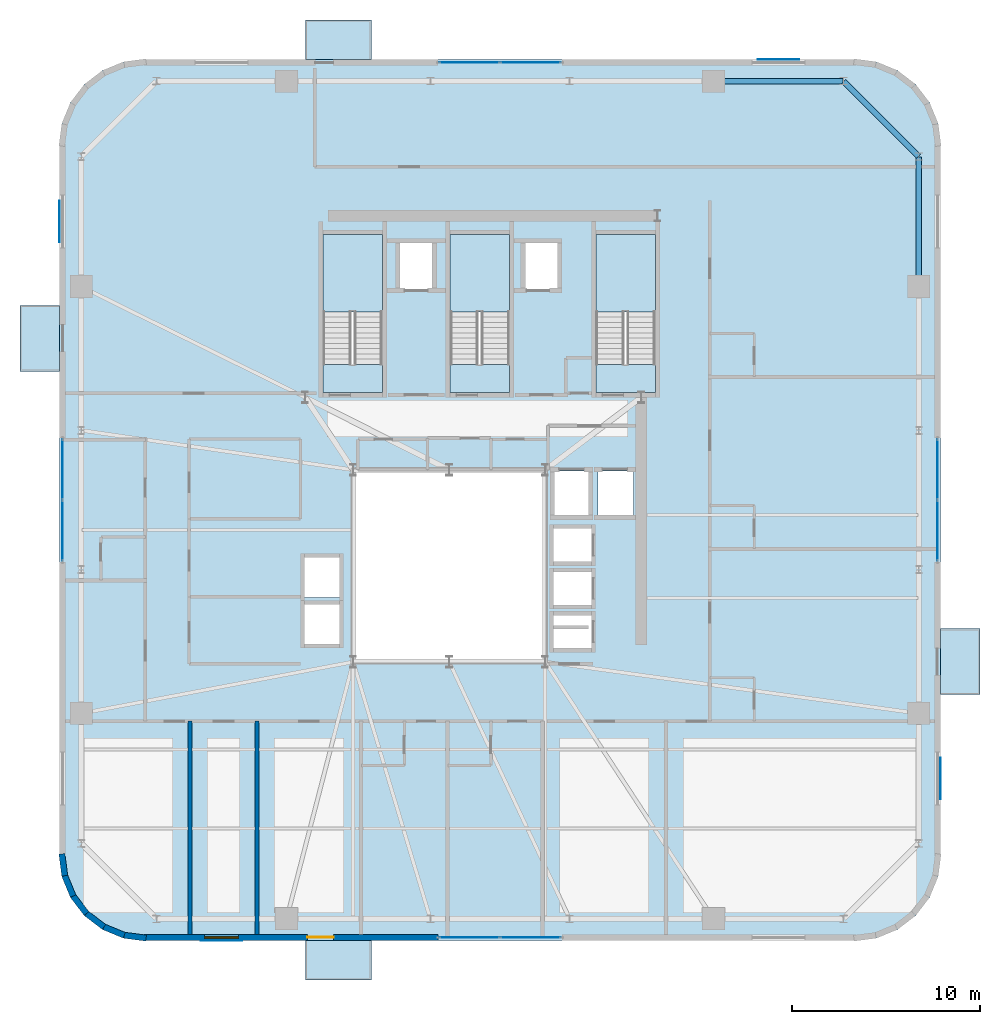
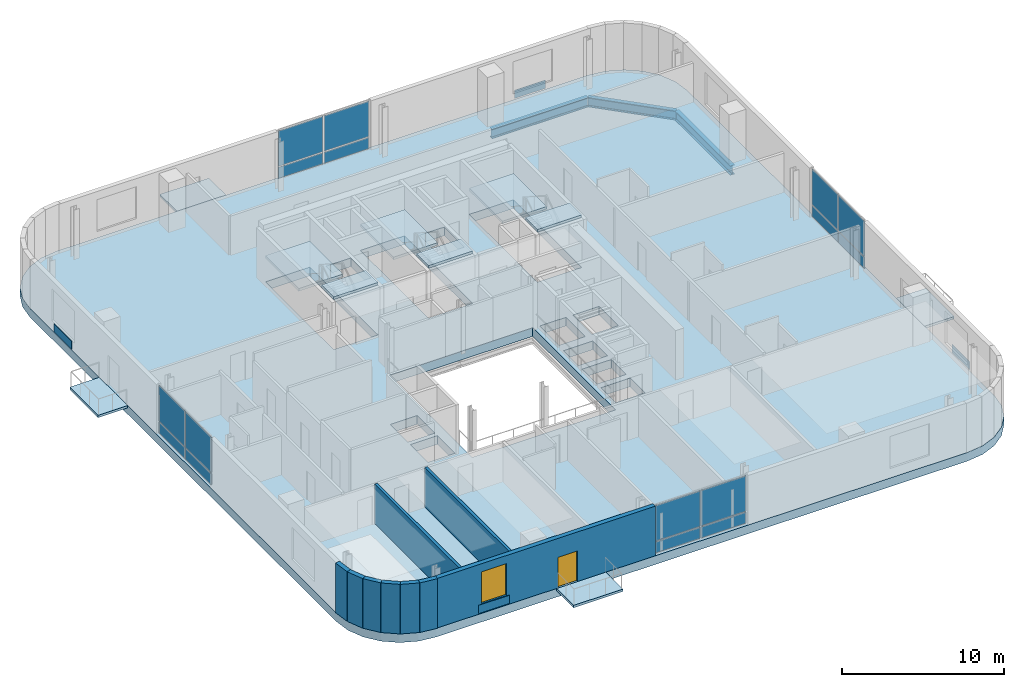
# One storey, part 7 of 15: 20 plates, 11 slabs, 9 walls, 3 beams, 1 door, 1 window, 2 openings, 7 elements without a shape of their own.
"""IFC4 building model written with IfcOpenShell, lengths in metres."""

from ifc_helpers import new_model, si_unit, direction, frame, frame_2d, origin, origin_2d, place, context, subcontext, project, spatial, polyline, rectangle, i_section, outline, extrude, source, transform, mapped, material, layer, layer_set, material_profile, profile_set, type_object, element, fill, aggregate, save


model = new_model("IFC4")

# Units and contexts
model_context = context("Model", 3, precision=1e-05, world=origin(), true_north=direction((0.0, 1.0)))
body_context = subcontext(model_context, "Body", "Model", "MODEL_VIEW")
ifc_project = project(units=[si_unit("LENGTHUNIT", "METRE"), si_unit("AREAUNIT", "SQUARE_METRE"), si_unit("VOLUMEUNIT", "CUBIC_METRE"), si_unit("PLANEANGLEUNIT", "RADIAN"), si_unit("MASSUNIT", "GRAM", prefix="KILO")], contexts=[model_context])

# Site, building, storey
site_placement = place(None, origin())
site = spatial("IfcSite", under=ifc_project, at=site_placement, CompositionType="ELEMENT")
building_placement = place(site_placement, origin())
building = spatial("IfcBuilding", under=site, at=building_placement, Name="Vardaveli Station Tower", CompositionType="ELEMENT")
storey_placement = place(building_placement, frame((0.0, 0.0, 242.699951171875)))
storey = spatial("IfcBuildingStorey", under=building, at=storey_placement, Name="L62", CompositionType="ELEMENT", Elevation=242.699951171875)

# Beams
ifc_material_1 = material(Name="Structural steel S460M", Category="steel")
ifc_material_profile = material_profile(ifc_material_1, i_section(OverallWidth=0.303955078125, OverallDepth=0.716064453125, WebThickness=0.02099609375, FlangeThickness=0.0400390625, FilletRadius=0.027099609375, at=origin_2d()), Name="HEM 700")
ifc_profile_set = profile_set([ifc_material_profile], Name="Structural steel S460M")
beam_type = type_object("IfcBeamType", Name="BM-HEM700", PredefinedType="BEAM", material=ifc_profile_set)
shared_shape_1 = source(origin(), body_context, "Body", "SweptSolid", [
    extrude(i_section(OverallWidth=0.303955078125, OverallDepth=0.716064453125, WebThickness=0.02099609375, FlangeThickness=0.0400390625, FilletRadius=0.027099609375, at=origin_2d()), origin(), (0.0, 0.0, 1.0), 6.869873046875),
])
for number, where, z_axis, x_axis, name in (
    (1, (61.25, 36.56005859375, -1.008056640625), (0.0, 1.0, 0.0), (-1.0, 0.0, 0.0), "RBM-L62-10"),
    (2, (57.22998046875, 47.449951171875, -1.008056640625), (-1.0, 0.0, 0.0), (0.0, -1.0, 0.0), "RBM-L62-12"),
):
    element("IfcBeam", number, at=place(storey_placement, frame(where, z_axis=z_axis, x_axis=x_axis)), inside=storey, type_object=beam_type, Name=name, PredefinedType="BEAM", context=body_context, shape_type="MappedRepresentation", body=[
        mapped(shared_shape_1, transform((0.0, 0.0, 0.0), scale=1.0)),
    ])
shared_shape_2 = source(origin(), body_context, "Body", "SweptSolid", [
    extrude(i_section(OverallWidth=0.303955078125, OverallDepth=0.716064453125, WebThickness=0.02099609375, FlangeThickness=0.0400390625, FilletRadius=0.027099609375, at=origin_2d()), origin(), (0.0, 0.0, 1.0), 5.61669921875),
])
beam_placement = place(storey_placement, frame((61.23583984375, 43.464111328125, -1.008056640625), z_axis=(-0.707106781187, 0.707106781187, 0.0), x_axis=(-0.707106781187, -0.707106781187, 0.0)))
element("IfcBeam", 3, at=beam_placement, inside=storey, type_object=beam_type, Name="RBM-L62-11", PredefinedType="BEAM", context=body_context, shape_type="MappedRepresentation", body=[
    mapped(shared_shape_2, transform((0.0, 0.0, 0.0), scale=1.0)),
])

# Stair, slabs
ifc_material_2 = material(Name="Concrete C40/50", Category="concrete")
stair_type = type_object("IfcStairType", Name="STR-CORE-1500", PredefinedType="HALF_TURN_STAIR", material=ifc_material_2)
stair_1_placement = place(storey_placement, origin())
stair_1 = element("IfcStair", 4, at=stair_1_placement, inside=storey, type_object=stair_type, Name="L62 ST-1", PredefinedType="HALF_TURN_STAIR")
ifc_layer_1 = layer(ifc_material_2, 0.199951171875, Name="Concrete C40/50")
ifc_layer_set_1 = layer_set([ifc_layer_1], Name="Concrete C40/50")
slab_type_1 = type_object("IfcSlabType", Name="SLB-LAND-200", PredefinedType="LANDING", material=ifc_layer_set_1)
slab_1_placement = place(storey_placement, frame((0.0, 0.0, 1.775146484375)))
slab_1 = element("IfcSlab", 5, at=slab_1_placement, type_object=slab_type_1, Name="ST-1 landing 1", PredefinedType="LANDING", context=body_context, shape_type="SweptSolid", body=[
    extrude(outline(polyline([(32.75, 35.199951171875), (32.75, 39.300048828125), (29.60009765625, 39.300048828125), (29.60009765625, 35.199951171875), (32.75, 35.199951171875)])), origin(), (0.0, 0.0, 1.0), 0.199951171875),
])
slab_2_placement = place(storey_placement, frame((0.0, 0.0, 3.75)))
slab_2 = element("IfcSlab", 6, at=slab_2_placement, type_object=slab_type_1, Name="ST-1 landing 2", PredefinedType="LANDING", context=body_context, shape_type="SweptSolid", body=[
    extrude(outline(polyline([(32.75, 30.89990234375), (32.75, 32.39990234375), (29.60009765625, 32.39990234375), (29.60009765625, 30.89990234375), (32.75, 30.89990234375)])), origin(), (0.0, 0.0, 1.0), 0.199951171875),
])
aggregate(stair_1, [slab_1, slab_2])

stair_2_placement = place(storey_placement, origin())
stair_2 = element("IfcStair", 7, at=stair_2_placement, inside=storey, type_object=stair_type, Name="L62 ST-2", PredefinedType="HALF_TURN_STAIR")
slab_3_placement = place(storey_placement, frame((0.0, 0.0, 1.775146484375)))
slab_3 = element("IfcSlab", 8, at=slab_3_placement, type_object=slab_type_1, Name="ST-2 landing 1", PredefinedType="LANDING", context=body_context, shape_type="SweptSolid", body=[
    extrude(outline(polyline([(39.5, 35.199951171875), (39.5, 39.300048828125), (36.35009765625, 39.300048828125), (36.35009765625, 35.199951171875), (39.5, 35.199951171875)])), origin(), (0.0, 0.0, 1.0), 0.199951171875),
])
slab_4_placement = place(storey_placement, frame((0.0, 0.0, 3.75)))
slab_4 = element("IfcSlab", 9, at=slab_4_placement, type_object=slab_type_1, Name="ST-2 landing 2", PredefinedType="LANDING", context=body_context, shape_type="SweptSolid", body=[
    extrude(outline(polyline([(39.5, 30.89990234375), (39.5, 32.39990234375), (36.35009765625, 32.39990234375), (36.35009765625, 30.89990234375), (39.5, 30.89990234375)])), origin(), (0.0, 0.0, 1.0), 0.199951171875),
])
aggregate(stair_2, [slab_3, slab_4])

stair_3_placement = place(storey_placement, origin())
stair_3 = element("IfcStair", 10, at=stair_3_placement, inside=storey, type_object=stair_type, Name="L62 ST-3", PredefinedType="HALF_TURN_STAIR")
slab_5_placement = place(storey_placement, frame((0.0, 0.0, 1.775146484375)))
slab_5 = element("IfcSlab", 11, at=slab_5_placement, type_object=slab_type_1, Name="ST-3 landing 1", PredefinedType="LANDING", context=body_context, shape_type="SweptSolid", body=[
    extrude(outline(polyline([(47.25, 35.199951171875), (47.25, 39.300048828125), (44.10009765625, 39.300048828125), (44.10009765625, 35.199951171875), (47.25, 35.199951171875)])), origin(), (0.0, 0.0, 1.0), 0.199951171875),
])
slab_6_placement = place(storey_placement, frame((0.0, 0.0, 3.75)))
slab_6 = element("IfcSlab", 12, at=slab_6_placement, type_object=slab_type_1, Name="ST-3 landing 2", PredefinedType="LANDING", context=body_context, shape_type="SweptSolid", body=[
    extrude(outline(polyline([(47.25, 30.89990234375), (47.25, 32.39990234375), (44.10009765625, 32.39990234375), (44.10009765625, 30.89990234375), (47.25, 30.89990234375)])), origin(), (0.0, 0.0, 1.0), 0.199951171875),
])
aggregate(stair_3, [slab_5, slab_6])

# Slabs
ifc_material_3 = material(Name="Precast concrete C45/55", Category="concrete")
ifc_layer_2 = layer(ifc_material_3, 0.179931640625, Name="Precast concrete C45/55")
ifc_layer_set_2 = layer_set([ifc_layer_2], Name="Precast concrete C45/55")
slab_type_2 = type_object("IfcSlabType", Name="SLB-LOGGIA-180", PredefinedType="FLOOR", material=ifc_layer_set_2)
slab_7_placement = place(storey_placement, frame((0.0, 0.0, -0.179931640625)))
element("IfcSlab", 13, at=slab_7_placement, inside=storey, type_object=slab_type_2, Name="LOG-L62-S", PredefinedType="FLOOR", context=body_context, shape_type="SweptSolid", body=[
    extrude(outline(polyline([(28.660400390625, -0.300048828125), (32.160400390625, -0.300048828125), (32.160400390625, 1.800048828125), (28.660400390625, 1.800048828125), (28.660400390625, -0.300048828125)])), origin(), (0.0, 0.0, 1.0), 0.179931640625),
])
slab_8_placement = place(storey_placement, frame((0.0, 0.0, -0.179931640625)))
element("IfcSlab", 14, at=slab_8_placement, inside=storey, type_object=slab_type_2, Name="LOG-L62-N", PredefinedType="FLOOR", context=body_context, shape_type="SweptSolid", body=[
    extrude(outline(polyline([(28.660400390625, 48.60009765625), (32.160400390625, 48.60009765625), (32.160400390625, 50.699951171875), (28.660400390625, 50.699951171875), (28.660400390625, 48.60009765625)])), origin(), (0.0, 0.0, 1.0), 0.179931640625),
])
slab_9_placement = place(storey_placement, frame((0.0, 0.0, -0.179931640625)))
element("IfcSlab", 15, at=slab_9_placement, inside=storey, type_object=slab_type_2, Name="LOG-L62-W", PredefinedType="FLOOR", context=body_context, shape_type="SweptSolid", body=[
    extrude(outline(polyline([(13.5, 32.03955078125), (15.60009765625, 32.03955078125), (15.60009765625, 35.53955078125), (13.5, 35.53955078125), (13.5, 32.03955078125)])), origin(), (0.0, 0.0, 1.0), 0.179931640625),
])
slab_10_placement = place(storey_placement, frame((0.0, 0.0, -0.179931640625)))
element("IfcSlab", 16, at=slab_10_placement, inside=storey, type_object=slab_type_2, Name="LOG-L62-E", PredefinedType="FLOOR", context=body_context, shape_type="SweptSolid", body=[
    extrude(outline(polyline([(62.39990234375, 14.8603515625), (64.5, 14.8603515625), (64.5, 18.3603515625), (62.39990234375, 18.3603515625), (62.39990234375, 14.8603515625)])), origin(), (0.0, 0.0, 1.0), 0.179931640625),
])
ifc_material_4 = material(Name="Concrete C50/60", Category="concrete")
ifc_layer_3 = layer(ifc_material_4, 0.64990234375, Name="Concrete C50/60")
ifc_layer_set_3 = layer_set([ifc_layer_3], Name="Concrete C50/60")
slab_type_3 = type_object("IfcSlabType", Name="SLB-TRANS-600", PredefinedType="FLOOR", material=ifc_layer_set_3)
slab_11_placement = place(storey_placement, frame((0.0, 0.0, -0.64990234375)))
element("IfcSlab", 17, at=slab_11_placement, inside=storey, type_object=slab_type_3, Name="SLB-L62-MAIN", PredefinedType="FLOOR", context=body_context, shape_type="SweptSolid", body=[
    extrude(outline(polyline([(15.60009765625, 6.300048828125), (15.75341796875, 5.13525390625), (16.202880859375, 4.050048828125), (16.91796875, 3.117919921875), (17.85009765625, 2.40283203125), (18.935302734375, 1.953369140625), (20.10009765625, 1.800048828125), (57.89990234375, 1.800048828125), (59.064697265625, 1.953369140625), (60.14990234375, 2.40283203125), (61.08203125, 3.117919921875), (61.797119140625, 4.050048828125), (62.24658203125, 5.13525390625), (62.39990234375, 6.300048828125), (62.39990234375, 44.10009765625), (62.24658203125, 45.2646484375), (61.797119140625, 46.35009765625), (61.08203125, 47.281982421875), (60.14990234375, 47.9970703125), (59.064697265625, 48.44677734375), (57.89990234375, 48.60009765625), (20.10009765625, 48.60009765625), (18.935302734375, 48.44677734375), (17.85009765625, 47.9970703125), (16.91796875, 47.281982421875), (16.202880859375, 46.35009765625), (15.75341796875, 45.2646484375), (15.60009765625, 44.10009765625), (15.60009765625, 6.300048828125)]), holes=[polyline([(31.199951171875, 16.60009765625), (41.39990234375, 16.60009765625), (41.39990234375, 26.800048828125), (31.199951171875, 26.800048828125), (31.199951171875, 16.60009765625)]), polyline([(32.75, 30.89990234375), (32.75, 39.300048828125), (29.60009765625, 39.300048828125), (29.60009765625, 30.89990234375), (32.75, 30.89990234375)]), polyline([(39.5, 30.89990234375), (39.5, 39.300048828125), (36.35009765625, 39.300048828125), (36.35009765625, 30.89990234375), (39.5, 30.89990234375)]), polyline([(47.25, 30.89990234375), (47.25, 39.300048828125), (44.10009765625, 39.300048828125), (44.10009765625, 30.89990234375), (47.25, 30.89990234375)]), polyline([(33.659912109375, 36.409912109375), (35.43994140625, 36.409912109375), (35.43994140625, 38.889892578125), (33.659912109375, 38.889892578125), (33.659912109375, 36.409912109375)]), polyline([(40.31005859375, 36.409912109375), (42.090087890625, 36.409912109375), (42.090087890625, 38.889892578125), (40.31005859375, 38.889892578125), (40.31005859375, 36.409912109375)]), polyline([(41.81005859375, 21.885009765625), (43.889892578125, 21.885009765625), (43.889892578125, 23.715087890625), (41.81005859375, 23.715087890625), (41.81005859375, 21.885009765625)]), polyline([(41.81005859375, 19.5849609375), (43.889892578125, 19.5849609375), (43.889892578125, 21.4150390625), (41.81005859375, 21.4150390625), (41.81005859375, 19.5849609375)]), polyline([(41.81005859375, 17.284912109375), (43.889892578125, 17.284912109375), (43.889892578125, 19.114990234375), (41.81005859375, 19.114990234375), (41.81005859375, 17.284912109375)]), polyline([(28.5849609375, 17.510009765625), (30.514892578125, 17.510009765625), (30.514892578125, 19.68994140625), (28.5849609375, 19.68994140625), (28.5849609375, 17.510009765625)]), polyline([(28.5849609375, 20.010009765625), (30.514892578125, 20.010009765625), (30.514892578125, 22.18994140625), (28.5849609375, 22.18994140625), (28.5849609375, 20.010009765625)]), polyline([(41.860107421875, 24.360107421875), (43.739990234375, 24.360107421875), (43.739990234375, 26.739990234375), (41.860107421875, 26.739990234375), (41.860107421875, 24.360107421875)]), polyline([(44.2099609375, 24.360107421875), (46.090087890625, 24.360107421875), (46.090087890625, 26.739990234375), (44.2099609375, 26.739990234375), (44.2099609375, 24.360107421875)])]), origin(), (0.0, 0.0, 1.0), 0.64990234375),
])

# Plates
ifc_material_5 = material(Name="Honed Caucasian travertine stone", Category="masonry")
ifc_layer_4 = layer(ifc_material_5, 0.034912109375, Name="Honed Caucasian travertine stone")
ifc_layer_set_4 = layer_set([ifc_layer_4], Name="Honed Caucasian travertine stone")
plate_type_1 = type_object("IfcPlateType", Name="PLT-TRAV-35", PredefinedType="SHEET", material=ifc_layer_set_4)
shared_shape_3 = source(origin(), body_context, "Body", "SweptSolid", [
    extrude(rectangle(XDim=2.199951171875, YDim=0.034912109375, at=origin_2d()), origin(), (0.0, 0.0, 1.0), 0.6201171875),
])
for number, where, z_axis, x_axis, name in (
    (18, (24.205078125, 1.79052734375, 0.070068359375), (0.0, 0.0, 1.0), (1.0, 0.0, 0.0), "PLT-TR-L62-S"),
    (19, (53.794921875, 48.609619140625, 0.070068359375), (0.0, 0.0, 1.0), (1.0, 0.0, 0.0), "PLT-TR-L62-N"),
    (20, (15.590576171875, 39.9951171875, 0.070068359375), (0.0, 0.0, 1.0), (0.0, 1.0, 0.0), "PLT-TR-L62-W"),
    (21, (62.409423828125, 10.405029296875, 0.070068359375), (0.0, 0.0, 1.0), (0.0, 1.0, 0.0), "PLT-TR-L62-E"),
):
    element("IfcPlate", number, at=place(storey_placement, frame(where, z_axis=z_axis, x_axis=x_axis)), inside=storey, type_object=plate_type_1, Name=name, PredefinedType="SHEET", context=body_context, shape_type="MappedRepresentation", body=[
        mapped(shared_shape_3, transform((0.0, 0.0, 0.0), scale=1.0)),
    ])

# Curtain wall, plates
ifc_material_6 = material(Name="Travertine stone and solar-control glass", Category="masonry")
curtain_wall_type = type_object("IfcCurtainWallType", Name="CW-SYS-5", PredefinedType="NOTDEFINED", material=ifc_material_6)
curtain_wall_1_placement = place(storey_placement, origin())
curtain_wall_1 = element("IfcCurtainWall", 22, at=curtain_wall_1_placement, inside=storey, type_object=curtain_wall_type, Name="CW-L62-S", PredefinedType="NOTDEFINED")
ifc_material_7 = material(Name="Double-glazed low-E solar-control glass", Category="glass")
ifc_layer_5 = layer(ifc_material_7, 0.031982421875, Name="Double-glazed low-E solar-control glass")
ifc_layer_set_5 = layer_set([ifc_layer_5], Name="Double-glazed low-E solar-control glass")
plate_type_2 = type_object("IfcPlateType", Name="CW-SYS-5-PAN", PredefinedType="CURTAIN_PANEL", material=ifc_layer_set_5)
shared_shape_4 = source(origin(), body_context, "Body", "SweptSolid", [
    extrude(rectangle(XDim=3.179931640625, YDim=0.031982421875, at=origin_2d()), origin(), (0.0, 0.0, 1.0), 0.830078125),
])
plate_1_placement = place(storey_placement, frame((37.3701171875, 1.9599609375, 0.080078125), z_axis=(0.0, 0.0, 1.0), x_axis=(1.0, 0.0, 0.0)))
plate_1 = element("IfcPlate", 23, at=plate_1_placement, type_object=plate_type_2, Name="CW-5 panel 1.1", PredefinedType="CURTAIN_PANEL", context=body_context, shape_type="MappedRepresentation", body=[
    mapped(shared_shape_4, transform((0.0, 0.0, 0.0), scale=1.0)),
])
plate_2_placement = place(storey_placement, frame((40.6298828125, 1.9599609375, 0.080078125), z_axis=(0.0, 0.0, 1.0), x_axis=(1.0, 0.0, 0.0)))
plate_2 = element("IfcPlate", 24, at=plate_2_placement, type_object=plate_type_2, Name="CW-5 panel 2.1", PredefinedType="CURTAIN_PANEL", context=body_context, shape_type="MappedRepresentation", body=[
    mapped(shared_shape_4, transform((0.0, 0.0, 0.0), scale=1.0)),
])

curtain_wall_2_placement = place(storey_placement, origin())
curtain_wall_2 = element("IfcCurtainWall", 25, at=curtain_wall_2_placement, inside=storey, type_object=curtain_wall_type, Name="CW-L62-N", PredefinedType="NOTDEFINED")
plate_3_placement = place(storey_placement, frame((40.6298828125, 48.43994140625, 0.080078125), z_axis=(0.0, 0.0, 1.0), x_axis=(-1.0, 0.0, 0.0)))
plate_3 = element("IfcPlate", 26, at=plate_3_placement, type_object=plate_type_2, Name="CW-5 panel 1.1", PredefinedType="CURTAIN_PANEL", context=body_context, shape_type="MappedRepresentation", body=[
    mapped(shared_shape_4, transform((0.0, 0.0, 0.0), scale=1.0)),
])
plate_4_placement = place(storey_placement, frame((37.3701171875, 48.43994140625, 0.080078125), z_axis=(0.0, 0.0, 1.0), x_axis=(-1.0, 0.0, 0.0)))
plate_4 = element("IfcPlate", 27, at=plate_4_placement, type_object=plate_type_2, Name="CW-5 panel 2.1", PredefinedType="CURTAIN_PANEL", context=body_context, shape_type="MappedRepresentation", body=[
    mapped(shared_shape_4, transform((0.0, 0.0, 0.0), scale=1.0)),
])

curtain_wall_3_placement = place(storey_placement, origin())
curtain_wall_3 = element("IfcCurtainWall", 28, at=curtain_wall_3_placement, inside=storey, type_object=curtain_wall_type, Name="CW-L62-W", PredefinedType="NOTDEFINED")
plate_5_placement = place(storey_placement, frame((15.760009765625, 26.830078125, 0.080078125), z_axis=(0.0, 0.0, 1.0), x_axis=(0.0, -1.0, 0.0)))
plate_5 = element("IfcPlate", 29, at=plate_5_placement, type_object=plate_type_2, Name="CW-5 panel 1.1", PredefinedType="CURTAIN_PANEL", context=body_context, shape_type="MappedRepresentation", body=[
    mapped(shared_shape_4, transform((0.0, 0.0, 0.0), scale=1.0)),
])
plate_6_placement = place(storey_placement, frame((15.760009765625, 23.570068359375, 0.080078125), z_axis=(0.0, 0.0, 1.0), x_axis=(0.0, -1.0, 0.0)))
plate_6 = element("IfcPlate", 30, at=plate_6_placement, type_object=plate_type_2, Name="CW-5 panel 2.1", PredefinedType="CURTAIN_PANEL", context=body_context, shape_type="MappedRepresentation", body=[
    mapped(shared_shape_4, transform((0.0, 0.0, 0.0), scale=1.0)),
])

curtain_wall_4_placement = place(storey_placement, origin())
curtain_wall_4 = element("IfcCurtainWall", 31, at=curtain_wall_4_placement, inside=storey, type_object=curtain_wall_type, Name="CW-L62-E", PredefinedType="NOTDEFINED")
plate_7_placement = place(storey_placement, frame((62.239990234375, 23.570068359375, 0.080078125), z_axis=(0.0, 0.0, 1.0), x_axis=(0.0, 1.0, 0.0)))
plate_7 = element("IfcPlate", 32, at=plate_7_placement, type_object=plate_type_2, Name="CW-5 panel 1.1", PredefinedType="CURTAIN_PANEL", context=body_context, shape_type="MappedRepresentation", body=[
    mapped(shared_shape_4, transform((0.0, 0.0, 0.0), scale=1.0)),
])
plate_8_placement = place(storey_placement, frame((62.239990234375, 26.830078125, 0.080078125), z_axis=(0.0, 0.0, 1.0), x_axis=(0.0, 1.0, 0.0)))
plate_8 = element("IfcPlate", 33, at=plate_8_placement, type_object=plate_type_2, Name="CW-5 panel 2.1", PredefinedType="CURTAIN_PANEL", context=body_context, shape_type="MappedRepresentation", body=[
    mapped(shared_shape_4, transform((0.0, 0.0, 0.0), scale=1.0)),
])

# Plate
shared_shape_5 = source(origin(), body_context, "Body", "SweptSolid", [
    extrude(rectangle(XDim=3.179931640625, YDim=0.031982421875, at=origin_2d()), origin(), (0.0, 0.0, 1.0), 2.659912109375),
])
plate_9_placement = place(storey_placement, frame((37.3701171875, 1.9599609375, 0.990234375), z_axis=(0.0, 0.0, 1.0), x_axis=(1.0, 0.0, 0.0)))
plate_9 = element("IfcPlate", 34, at=plate_9_placement, type_object=plate_type_2, Name="CW-5 panel 1.2", PredefinedType="CURTAIN_PANEL", context=body_context, shape_type="MappedRepresentation", body=[
    mapped(shared_shape_5, transform((0.0, 0.0, 0.0), scale=1.0)),
])

plate_10_placement = place(storey_placement, frame((40.6298828125, 1.9599609375, 0.990234375), z_axis=(0.0, 0.0, 1.0), x_axis=(1.0, 0.0, 0.0)))
plate_10 = element("IfcPlate", 35, at=plate_10_placement, type_object=plate_type_2, Name="CW-5 panel 2.2", PredefinedType="CURTAIN_PANEL", context=body_context, shape_type="MappedRepresentation", body=[
    mapped(shared_shape_5, transform((0.0, 0.0, 0.0), scale=1.0)),
])

aggregate(curtain_wall_1, [plate_1, plate_9, plate_2, plate_10])

plate_11_placement = place(storey_placement, frame((40.6298828125, 48.43994140625, 0.990234375), z_axis=(0.0, 0.0, 1.0), x_axis=(-1.0, 0.0, 0.0)))
plate_11 = element("IfcPlate", 36, at=plate_11_placement, type_object=plate_type_2, Name="CW-5 panel 1.2", PredefinedType="CURTAIN_PANEL", context=body_context, shape_type="MappedRepresentation", body=[
    mapped(shared_shape_5, transform((0.0, 0.0, 0.0), scale=1.0)),
])

plate_12_placement = place(storey_placement, frame((37.3701171875, 48.43994140625, 0.990234375), z_axis=(0.0, 0.0, 1.0), x_axis=(-1.0, 0.0, 0.0)))
plate_12 = element("IfcPlate", 37, at=plate_12_placement, type_object=plate_type_2, Name="CW-5 panel 2.2", PredefinedType="CURTAIN_PANEL", context=body_context, shape_type="MappedRepresentation", body=[
    mapped(shared_shape_5, transform((0.0, 0.0, 0.0), scale=1.0)),
])

aggregate(curtain_wall_2, [plate_3, plate_11, plate_4, plate_12])

plate_13_placement = place(storey_placement, frame((15.760009765625, 26.830078125, 0.990234375), z_axis=(0.0, 0.0, 1.0), x_axis=(0.0, -1.0, 0.0)))
plate_13 = element("IfcPlate", 38, at=plate_13_placement, type_object=plate_type_2, Name="CW-5 panel 1.2", PredefinedType="CURTAIN_PANEL", context=body_context, shape_type="MappedRepresentation", body=[
    mapped(shared_shape_5, transform((0.0, 0.0, 0.0), scale=1.0)),
])

plate_14_placement = place(storey_placement, frame((15.760009765625, 23.570068359375, 0.990234375), z_axis=(0.0, 0.0, 1.0), x_axis=(0.0, -1.0, 0.0)))
plate_14 = element("IfcPlate", 39, at=plate_14_placement, type_object=plate_type_2, Name="CW-5 panel 2.2", PredefinedType="CURTAIN_PANEL", context=body_context, shape_type="MappedRepresentation", body=[
    mapped(shared_shape_5, transform((0.0, 0.0, 0.0), scale=1.0)),
])

aggregate(curtain_wall_3, [plate_5, plate_13, plate_6, plate_14])

plate_15_placement = place(storey_placement, frame((62.239990234375, 23.570068359375, 0.990234375), z_axis=(0.0, 0.0, 1.0), x_axis=(0.0, 1.0, 0.0)))
plate_15 = element("IfcPlate", 40, at=plate_15_placement, type_object=plate_type_2, Name="CW-5 panel 1.2", PredefinedType="CURTAIN_PANEL", context=body_context, shape_type="MappedRepresentation", body=[
    mapped(shared_shape_5, transform((0.0, 0.0, 0.0), scale=1.0)),
])

plate_16_placement = place(storey_placement, frame((62.239990234375, 26.830078125, 0.990234375), z_axis=(0.0, 0.0, 1.0), x_axis=(0.0, 1.0, 0.0)))
plate_16 = element("IfcPlate", 41, at=plate_16_placement, type_object=plate_type_2, Name="CW-5 panel 2.2", PredefinedType="CURTAIN_PANEL", context=body_context, shape_type="MappedRepresentation", body=[
    mapped(shared_shape_5, transform((0.0, 0.0, 0.0), scale=1.0)),
])

aggregate(curtain_wall_4, [plate_7, plate_15, plate_8, plate_16])

# Wall, openings, door, window
ifc_layer_6 = layer(ifc_material_3, 0.320068359375, Name="Precast concrete C45/55")
ifc_layer_set_6 = layer_set([ifc_layer_6], Name="Precast concrete C45/55")
wall_type_1 = type_object("IfcWallType", Name="WAL-EXT-STONE-320", PredefinedType="SOLIDWALL", material=ifc_layer_set_6)
shared_shape_6 = source(origin(), body_context, "Body", "SweptSolid", [
    extrude(rectangle(XDim=15.599853515625, YDim=0.320068359375, at=frame_2d((7.7998046875, 0.0))), origin(), (0.0, 0.0, 1.0), 3.72998046875),
])
wall_1_placement = place(storey_placement, frame((20.10009765625, 1.9599609375, 0.0), z_axis=(0.0, 0.0, 1.0), x_axis=(1.0, 0.0, 0.0)))
wall_1 = element("IfcWall", 42, at=wall_1_placement, inside=storey, type_object=wall_type_1, Name="EW-L62-S1", PredefinedType="SOLIDWALL", context=body_context, shape_type="MappedRepresentation", body=[
    mapped(shared_shape_6, transform((0.0, 0.0, 0.0), scale=1.0)),
])
shared_shape_7 = source(origin(), body_context, "Body", "SweptSolid", [
    extrude(rectangle(XDim=1.39990234375, YDim=2.300048828125, at=frame_2d((0.699951171875, 1.14990234375))), frame((0.0, 0.169921875, 0.0), z_axis=(0.0, -1.0, 0.0), x_axis=(1.0, 0.0, 0.0)), (0.0, 0.0, 1.0), 0.340087890625),
])
opening_1_placement = place(wall_1_placement, frame((8.660400390625, 0.0, 0.0)))
opening_1 = element("IfcOpeningElement", 43, at=opening_1_placement, cuts=wall_1, Name="Opening D-09", PredefinedType="OPENING", context=body_context, shape_type="MappedRepresentation", body=[
    mapped(shared_shape_7, transform((0.0, 0.0, 0.0), scale=1.0)),
])
shared_shape_8 = source(origin(), body_context, "Body", "SweptSolid", [
    extrude(rectangle(XDim=1.800048828125, YDim=2.39990234375, at=frame_2d((0.89990234375, 1.199951171875))), frame((0.0, 0.169921875, 0.0), z_axis=(0.0, -1.0, 0.0), x_axis=(1.0, 0.0, 0.0)), (0.0, 0.0, 1.0), 0.340087890625),
])
opening_2_placement = place(wall_1_placement, frame((3.205078125, 0.0, 0.719970703125)))
opening_2 = element("IfcOpeningElement", 44, at=opening_2_placement, cuts=wall_1, Name="Opening W-05", PredefinedType="OPENING", context=body_context, shape_type="MappedRepresentation", body=[
    mapped(shared_shape_8, transform((0.0, 0.0, 0.0), scale=1.0)),
])
ifc_material_8 = material(Name="Thermally broken aluminium glass", Category="aluminium")
door_type = type_object("IfcDoorType", Name="DR-LOG-1400x2300", OperationType="DOUBLE_DOOR_SLIDING", PredefinedType="DOOR", material=ifc_material_8)
shared_shape_9 = source(origin(), body_context, "Body", "SweptSolid", [
    extrude(rectangle(XDim=1.39990234375, YDim=2.300048828125, at=frame_2d((0.699951171875, 1.14990234375))), frame((0.0, 0.02490234375, 0.0), z_axis=(0.0, -1.0, 0.0), x_axis=(1.0, 0.0, 0.0)), (0.0, 0.0, 1.0), 0.050048828125),
])
door_placement = place(opening_1_placement, frame((1.39990234375, 0.0, 0.0), z_axis=(0.0, 0.0, 1.0), x_axis=(-1.0, 0.0, 0.0)))
door = element("IfcDoor", 45, at=door_placement, inside=storey, type_object=door_type, Name="DLG-L62-S", OperationType="DOUBLE_DOOR_SLIDING", OverallHeight=2.300048828125, OverallWidth=1.39990234375, PredefinedType="DOOR", context=body_context, shape_type="MappedRepresentation", body=[
    mapped(shared_shape_9, transform((0.0, 0.0, 0.0), scale=1.0)),
])
fill(opening_1, door)
ifc_material_9 = material(Name="Low-E solar-control glass", Category="glass")
window_type = type_object("IfcWindowType", Name="WIN-HIGH-1800x2400", PartitioningType="SINGLE_PANEL", PredefinedType="WINDOW", material=ifc_material_9)
shared_shape_10 = source(origin(), body_context, "Body", "SweptSolid", [
    extrude(rectangle(XDim=1.800048828125, YDim=2.39990234375, at=frame_2d((0.89990234375, 1.199951171875))), frame((0.0, 0.030029296875, 0.0), z_axis=(0.0, -1.0, 0.0), x_axis=(1.0, 0.0, 0.0)), (0.0, 0.0, 1.0), 0.06005859375),
])
window_placement = place(opening_2_placement, origin())
window = element("IfcWindow", 46, at=window_placement, inside=storey, type_object=window_type, Name="WN-L62-S1", OverallHeight=2.39990234375, OverallWidth=1.800048828125, PartitioningType="SINGLE_PANEL", PredefinedType="WINDOW", context=body_context, shape_type="MappedRepresentation", body=[
    mapped(shared_shape_10, transform((0.0, 0.0, 0.0), scale=1.0)),
])
fill(opening_2, window)

# Walls
shared_shape_11 = source(origin(), body_context, "Body", "SweptSolid", [
    extrude(rectangle(XDim=1.170654296875, YDim=0.320068359375, at=frame_2d((0.58544921875, 0.0))), origin(), (0.0, 0.0, 1.0), 3.72998046875),
])
wall_2_placement = place(storey_placement, frame((15.724365234375, 6.400634765625, 0.0), z_axis=(0.0, 0.0, 1.0), x_axis=(0.128269133229, -0.991739395941, 0.0)))
element("IfcWall", 47, at=wall_2_placement, inside=storey, type_object=wall_type_1, Name="EW-L62-CR1-1", PredefinedType="SOLIDWALL", context=body_context, shape_type="MappedRepresentation", body=[
    mapped(shared_shape_11, transform((0.0, 0.0, 0.0), scale=1.0)),
])
shared_shape_12 = source(origin(), body_context, "Body", "SweptSolid", [
    extrude(rectangle(XDim=1.1689453125, YDim=0.320068359375, at=frame_2d((0.58447265625, 0.0))), origin(), (0.0, 0.0, 1.0), 3.72998046875),
])
for number, where, z_axis, x_axis, name in (
    (48, (15.87451171875, 5.23974609375, 0.0), (0.0, 0.0, 1.0), (0.381127904695, -0.924522320046, 0.0), "EW-L62-CR1-2"),
    (49, (16.320068359375, 4.158935546875, 0.0), (0.0, 0.0, 1.0), (0.608387696831, -0.793639975269, 0.0), "EW-L62-CR1-3"),
):
    element("IfcWall", number, at=place(storey_placement, frame(where, z_axis=z_axis, x_axis=x_axis)), inside=storey, type_object=wall_type_1, Name=name, PredefinedType="SOLIDWALL", context=body_context, shape_type="MappedRepresentation", body=[
        mapped(shared_shape_12, transform((0.0, 0.0, 0.0), scale=1.0)),
    ])
shared_shape_13 = source(origin(), body_context, "Body", "SweptSolid", [
    extrude(rectangle(XDim=1.168701171875, YDim=0.320068359375, at=frame_2d((0.58447265625, 0.0))), origin(), (0.0, 0.0, 1.0), 3.72998046875),
])
wall_3_placement = place(storey_placement, frame((17.03125, 3.231201171875, 0.0), z_axis=(0.0, 0.0, 1.0), x_axis=(0.793663520347, -0.608356981114, 0.0)))
element("IfcWall", 50, at=wall_3_placement, inside=storey, type_object=wall_type_1, Name="EW-L62-CR1-4", PredefinedType="SOLIDWALL", context=body_context, shape_type="MappedRepresentation", body=[
    mapped(shared_shape_13, transform((0.0, 0.0, 0.0), scale=1.0)),
])
shared_shape_14 = source(origin(), body_context, "Body", "SweptSolid", [
    extrude(rectangle(XDim=1.16943359375, YDim=0.320068359375, at=frame_2d((0.584716796875, 0.0))), origin(), (0.0, 0.0, 1.0), 3.72998046875),
])
wall_4_placement = place(storey_placement, frame((17.958740234375, 2.520263671875, 0.0), z_axis=(0.0, 0.0, 1.0), x_axis=(0.924479075121, -0.381232789334, 0.0)))
element("IfcWall", 51, at=wall_4_placement, inside=storey, type_object=wall_type_1, Name="EW-L62-CR1-5", PredefinedType="SOLIDWALL", context=body_context, shape_type="MappedRepresentation", body=[
    mapped(shared_shape_14, transform((0.0, 0.0, 0.0), scale=1.0)),
])
shared_shape_15 = source(origin(), body_context, "Body", "SweptSolid", [
    extrude(rectangle(XDim=1.170166015625, YDim=0.320068359375, at=frame_2d((0.5849609375, 0.0))), origin(), (0.0, 0.0, 1.0), 3.72998046875),
])
wall_5_placement = place(storey_placement, frame((19.039794921875, 2.074462890625, 0.0), z_axis=(0.0, 0.0, 1.0), x_axis=(0.991762485493, -0.128090485085, 0.0)))
element("IfcWall", 52, at=wall_5_placement, inside=storey, type_object=wall_type_1, Name="EW-L62-CR1-6", PredefinedType="SOLIDWALL", context=body_context, shape_type="MappedRepresentation", body=[
    mapped(shared_shape_15, transform((0.0, 0.0, 0.0), scale=1.0)),
])
ifc_material_10 = material(Name="Acoustic twin-stud gypsum partition")
ifc_layer_7 = layer(ifc_material_10, 0.199951171875, Name="Acoustic twin-stud gypsum partition")
ifc_layer_set_7 = layer_set([ifc_layer_7], Name="Acoustic twin-stud gypsum partition")
wall_type_2 = type_object("IfcWallType", Name="WAL-PARTY-200", PredefinedType="PARTITIONING", material=ifc_layer_set_7)
shared_shape_16 = source(origin(), body_context, "Body", "SweptSolid", [
    extrude(rectangle(XDim=11.327880859375, YDim=0.199951171875, at=frame_2d((5.6640625, 0.0))), origin(), (0.0, 0.0, 1.0), 2.97216796875),
])
for number, where, z_axis, x_axis, name in (
    (53, (22.535888671875, 2.1220703125, 0.0), (0.0, 0.0, 1.0), (0.0, 1.0, 0.0), "W-L62-PS1"),
    (54, (26.093017578125, 2.1220703125, 0.0), (0.0, 0.0, 1.0), (0.0, 1.0, 0.0), "W-L62-PS2"),
):
    element("IfcWall", number, at=place(storey_placement, frame(where, z_axis=z_axis, x_axis=x_axis)), inside=storey, type_object=wall_type_2, Name=name, PredefinedType="PARTITIONING", context=body_context, shape_type="MappedRepresentation", body=[
        mapped(shared_shape_16, transform((0.0, 0.0, 0.0), scale=1.0)),
    ])

save(model, "model.ifc")
